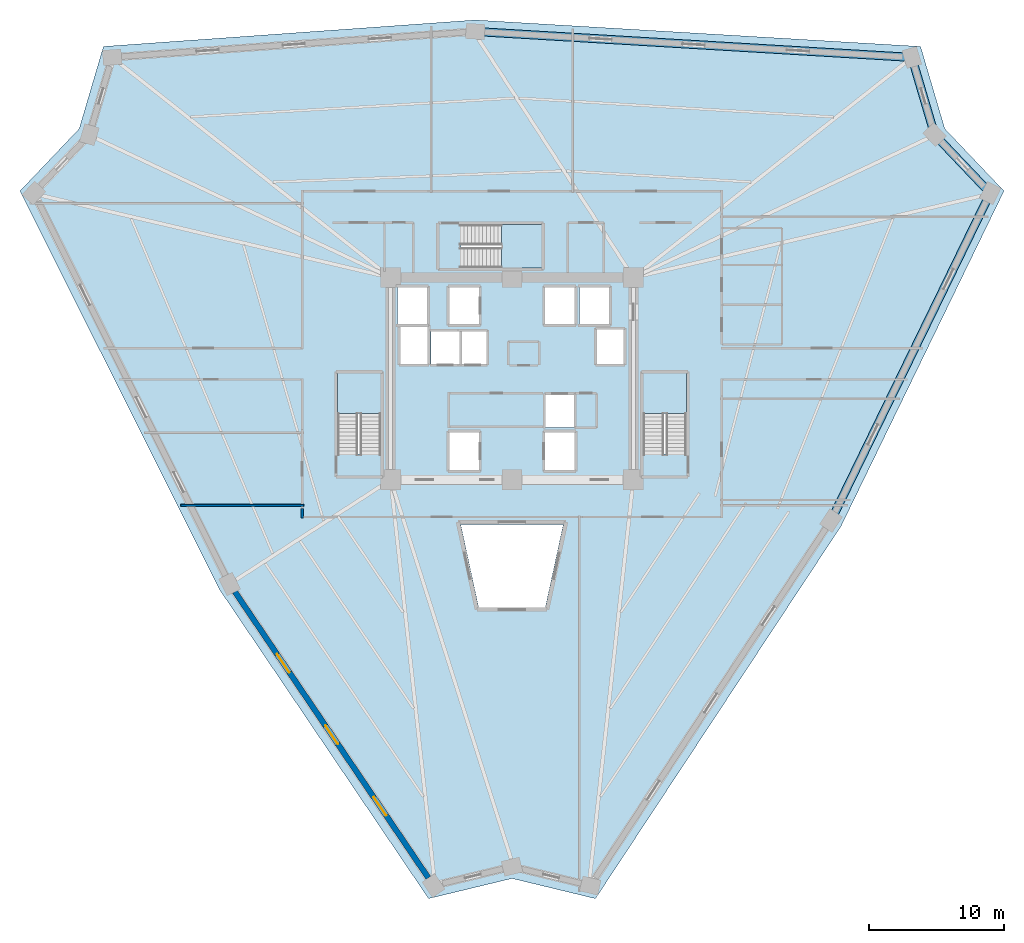
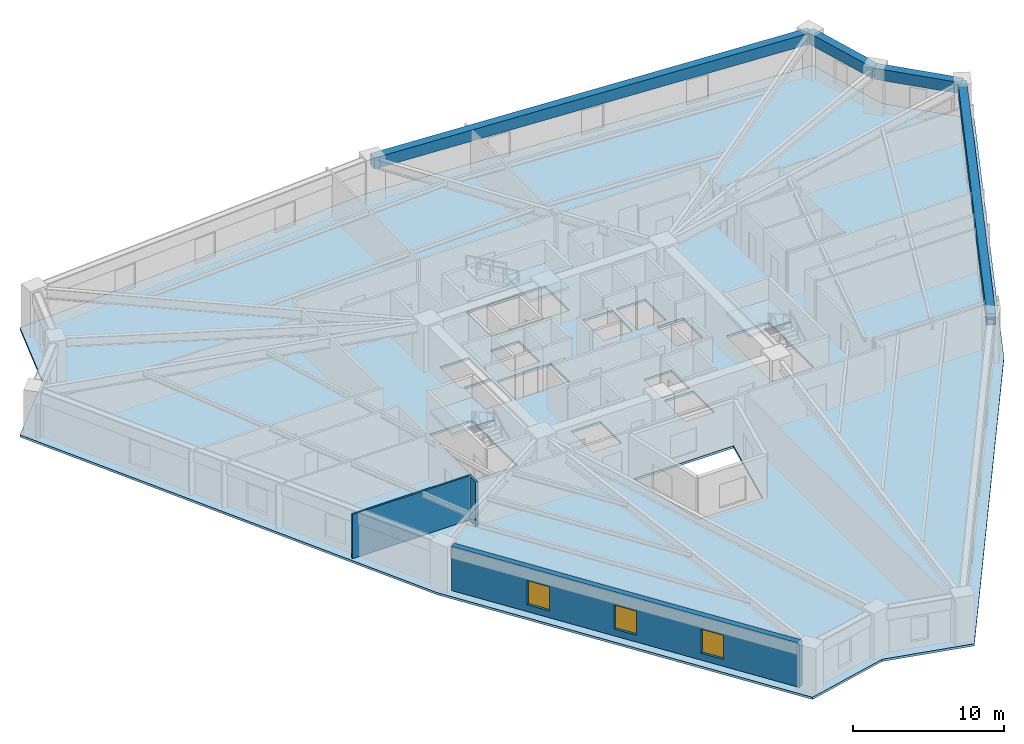
# One storey, part 2 of 8: 4 beams, 4 slabs, 3 walls, 3 windows, 3 openings, 3 elements without a shape of their own.
"""IFC4 building model written with IfcOpenShell, lengths in metres."""

from ifc_helpers import new_model, si_unit, direction, frame, frame_2d, origin, origin_2d, place, context, subcontext, project, spatial, polyline, rectangle, outline, extrude, source, transform, mapped, material, layer, layer_set, material_profile, profile_set, type_object, element, fill, aggregate, save


model = new_model("IFC4")

# Units and contexts
model_context = context("Model", 3, precision=1e-05, world=origin(), true_north=direction((0.0, 1.0)))
body_context = subcontext(model_context, "Body", "Model", "MODEL_VIEW")
ifc_project = project(units=[si_unit("LENGTHUNIT", "METRE"), si_unit("AREAUNIT", "SQUARE_METRE"), si_unit("VOLUMEUNIT", "CUBIC_METRE"), si_unit("PLANEANGLEUNIT", "RADIAN"), si_unit("MASSUNIT", "GRAM", prefix="KILO")], contexts=[model_context])

# Site, building, storey
site_placement = place(None, origin())
site = spatial("IfcSite", under=ifc_project, at=site_placement, CompositionType="ELEMENT")
building_placement = place(site_placement, origin())
building = spatial("IfcBuilding", under=site, at=building_placement, Name="Liaohun Quay Tower", CompositionType="ELEMENT")
storey_placement = place(building_placement, frame((0.0, 0.0, 151.5)))
storey = spatial("IfcBuildingStorey", under=building, at=storey_placement, Name="L39", CompositionType="ELEMENT", Elevation=151.5)

# Beams
ifc_material_1 = material(Name="Precast concrete C55", Category="concrete")
ifc_material_profile = material_profile(ifc_material_1, rectangle(XDim=0.60009765625, YDim=0.89990234375, at=origin_2d()), Name="RC600x900")
ifc_profile_set = profile_set([ifc_material_profile], Name="Precast concrete C55")
beam_type = type_object("IfcBeamType", Name="BM-SPD-Z2", PredefinedType="SPANDREL", material=ifc_profile_set)
shared_shape_1 = source(origin(), body_context, "Body", "SweptSolid", [
    extrude(rectangle(XDim=0.60009765625, YDim=0.89990234375, at=origin_2d()), origin(), (0.0, 0.0, 1.0), 32.43701171875),
])
beam_1_placement = place(storey_placement, frame((57.278076171875, 79.75390625, 3.1201171875), z_axis=(0.998239629669, -0.059309710482, 0.0), x_axis=(0.059309710482, 0.998239629669, 0.0)))
element("IfcBeam", 1, at=beam_1_placement, inside=storey, type_object=beam_type, Name="L39 Precast Spandrel Beam PC06-PC07", PredefinedType="SPANDREL", context=body_context, shape_type="MappedRepresentation", body=[
    mapped(shared_shape_1, transform((0.0, 0.0, 0.0), x_axis=(1.0, 0.0, 0.0), y_axis=(0.0, 1.0, 0.0), z_axis=(0.0, 0.0, 1.0), scale=1.0)),
])
shared_shape_2 = source(origin(), body_context, "Body", "SweptSolid", [
    extrude(rectangle(XDim=0.60009765625, YDim=0.89990234375, at=origin_2d()), origin(), (0.0, 0.0, 1.0), 5.974853515625),
])
beam_2_placement = place(storey_placement, frame((89.657958984375, 77.830078125, 3.1201171875), z_axis=(0.28283876691, -0.959167468137, 0.0), x_axis=(0.959167468137, 0.28283876691, 0.0)))
element("IfcBeam", 2, at=beam_2_placement, inside=storey, type_object=beam_type, Name="L39 Precast Spandrel Beam PC07-PC08", PredefinedType="SPANDREL", context=body_context, shape_type="MappedRepresentation", body=[
    mapped(shared_shape_2, transform((0.0, 0.0, 0.0), x_axis=(1.0, 0.0, 0.0), y_axis=(0.0, 1.0, 0.0), z_axis=(0.0, 0.0, 1.0), scale=1.0)),
])
shared_shape_3 = source(origin(), body_context, "Body", "SweptSolid", [
    extrude(rectangle(XDim=0.60009765625, YDim=0.89990234375, at=origin_2d()), origin(), (0.0, 0.0, 1.0), 5.9833984375),
])
beam_3_placement = place(storey_placement, frame((91.347900390625, 72.09912109375, 3.1201171875), z_axis=(0.689239366018, -0.724533709589, 0.0), x_axis=(0.724533709589, 0.689239366018, 0.0)))
element("IfcBeam", 3, at=beam_3_placement, inside=storey, type_object=beam_type, Name="L39 Precast Spandrel Beam PC08-PC09", PredefinedType="SPANDREL", context=body_context, shape_type="MappedRepresentation", body=[
    mapped(shared_shape_3, transform((0.0, 0.0, 0.0), x_axis=(1.0, 0.0, 0.0), y_axis=(0.0, 1.0, 0.0), z_axis=(0.0, 0.0, 1.0), scale=1.0)),
])
shared_shape_4 = source(origin(), body_context, "Body", "SweptSolid", [
    extrude(rectangle(XDim=0.60009765625, YDim=0.89990234375, at=origin_2d()), origin(), (0.0, 0.0, 1.0), 27.000732421875),
])
beam_4_placement = place(storey_placement, frame((95.471923828125, 67.763916015625, 3.1201171875), z_axis=(-0.437243394356, -0.899343212624, 0.0), x_axis=(0.899343212624, -0.437243394356, 0.0)))
element("IfcBeam", 4, at=beam_4_placement, inside=storey, type_object=beam_type, Name="L39 Precast Spandrel Beam PC09-PC10", PredefinedType="SPANDREL", context=body_context, shape_type="MappedRepresentation", body=[
    mapped(shared_shape_4, transform((0.0, 0.0, 0.0), x_axis=(1.0, 0.0, 0.0), y_axis=(0.0, 1.0, 0.0), z_axis=(0.0, 0.0, 1.0), scale=1.0)),
])

# Stair, slab
ifc_material_2 = material(Name="Concrete C45", Category="concrete")
stair_type = type_object("IfcStairType", Name="STR-CORE-OFF", PredefinedType="HALF_TURN_STAIR", material=ifc_material_2)
stair_1_placement = place(storey_placement, origin())
stair_1 = element("IfcStair", 5, at=stair_1_placement, inside=storey, type_object=stair_type, Name="L39 Smokeproof Core Exit Stair ST-1", PredefinedType="HALF_TURN_STAIR")
ifc_layer_1 = layer(ifc_material_2, 0.199951171875, Name="Concrete C45", Category="concrete")
ifc_layer_set_1 = layer_set([ifc_layer_1], Name="Concrete C45")
slab_type_1 = type_object("IfcSlabType", Name="SLB-LND-200", PredefinedType="LANDING", material=ifc_layer_set_1)
slab_1_placement = place(storey_placement, frame((0.0, 0.0, 1.675048828125)))
slab_1 = element("IfcSlab", 6, at=slab_1_placement, type_object=slab_type_1, Name="ST-1 landing 1", PredefinedType="LANDING", context=body_context, shape_type="SweptSolid", body=[
    extrude(outline(polyline([(50.280029296875, 51.429931640625), (50.280029296875, 54.419921875), (47.0400390625, 54.419921875), (47.0400390625, 51.429931640625), (50.280029296875, 51.429931640625)])), origin(), (0.0, 0.0, 1.0), 0.199951171875),
])
aggregate(stair_1, [slab_1])

stair_2_placement = place(storey_placement, origin())
stair_2 = element("IfcStair", 7, at=stair_2_placement, inside=storey, type_object=stair_type, Name="L39 Smokeproof Core Exit Stair ST-2", PredefinedType="HALF_TURN_STAIR")
slab_2_placement = place(storey_placement, frame((0.0, 0.0, 1.675048828125)))
slab_2 = element("IfcSlab", 8, at=slab_2_placement, type_object=slab_type_1, Name="ST-2 landing 1", PredefinedType="LANDING", context=body_context, shape_type="SweptSolid", body=[
    extrude(outline(polyline([(72.9599609375, 51.429931640625), (72.9599609375, 54.419921875), (69.719970703125, 54.419921875), (69.719970703125, 51.429931640625), (72.9599609375, 51.429931640625)])), origin(), (0.0, 0.0, 1.0), 0.199951171875),
])
aggregate(stair_2, [slab_2])

stair_3_placement = place(storey_placement, origin())
stair_3 = element("IfcStair", 9, at=stair_3_placement, inside=storey, type_object=stair_type, Name="L39 Smokeproof Core Exit Stair ST-3", PredefinedType="HALF_TURN_STAIR")
slab_3_placement = place(storey_placement, frame((0.0, 0.0, 1.675048828125)))
slab_3 = element("IfcSlab", 10, at=slab_3_placement, type_object=slab_type_1, Name="ST-3 landing 1", PredefinedType="LANDING", context=body_context, shape_type="SweptSolid", body=[
    extrude(outline(polyline([(59.22998046875, 62.199951171875), (62.219970703125, 62.199951171875), (62.219970703125, 65.43994140625), (59.22998046875, 65.43994140625), (59.22998046875, 62.199951171875)])), origin(), (0.0, 0.0, 1.0), 0.199951171875),
])
aggregate(stair_3, [slab_3])

# Slab
ifc_layer_2 = layer(ifc_material_2, 0.179931640625, Name="Concrete C45", Category="concrete")
ifc_layer_set_2 = layer_set([ifc_layer_2], Name="Concrete C45")
slab_type_2 = type_object("IfcSlabType", Name="SLB-OFF-180", PredefinedType="FLOOR", material=ifc_layer_set_2)
slab_4_placement = place(storey_placement, frame((0.0, 0.0, -0.179931640625)))
element("IfcSlab", 11, at=slab_4_placement, inside=storey, type_object=slab_type_2, Name="L39 Structural Floor Slab", PredefinedType="FLOOR", context=body_context, shape_type="SweptSolid", body=[
    extrude(outline(polyline([(53.81103515625, 15.43310546875), (60.0, 16.927978515625), (66.18896484375, 15.43310546875), (84.406005859375, 43.05908203125), (96.493896484375, 67.923095703125), (92.10498046875, 72.535888671875), (90.304931640625, 78.64306640625), (57.27294921875, 80.60595703125), (29.695068359375, 78.64306640625), (27.89501953125, 72.535888671875), (23.506103515625, 67.923095703125), (38.322021484375, 38.3349609375), (53.81103515625, 15.43310546875)]), holes=[polyline([(57.56005859375, 50.030029296875), (55.340087890625, 50.030029296875), (55.340087890625, 47.2099609375), (57.56005859375, 47.2099609375), (57.56005859375, 50.030029296875)]), polyline([(50.280029296875, 54.419921875), (47.0400390625, 54.419921875), (47.0400390625, 48.409912109375), (50.280029296875, 48.409912109375), (50.280029296875, 54.419921875)]), polyline([(53.989990234375, 55.090087890625), (58.110107421875, 55.090087890625), (58.110107421875, 57.510009765625), (53.989990234375, 57.510009765625), (53.989990234375, 55.090087890625)]), polyline([(53.760009765625, 55.090087890625), (53.760009765625, 57.909912109375), (51.7099609375, 57.909912109375), (51.7099609375, 55.090087890625), (53.760009765625, 55.090087890625)]), polyline([(53.7099609375, 58.0400390625), (53.7099609375, 60.7900390625), (51.489990234375, 60.7900390625), (51.489990234375, 58.0400390625), (53.7099609375, 58.0400390625)]), polyline([(57.56005859375, 58.0400390625), (57.56005859375, 60.7900390625), (55.340087890625, 60.7900390625), (55.340087890625, 58.0400390625), (57.56005859375, 58.0400390625)]), polyline([(62.219970703125, 62.199951171875), (62.219970703125, 65.43994140625), (56.2099609375, 65.43994140625), (56.2099609375, 62.199951171875), (62.219970703125, 62.199951171875)]), polyline([(62.472900390625, 37.0390625), (63.804931640625, 43.199951171875), (56.195068359375, 43.199951171875), (57.527099609375, 37.0390625), (62.472900390625, 37.0390625)]), polyline([(64.659912109375, 47.2099609375), (64.659912109375, 50.030029296875), (62.43994140625, 50.030029296875), (62.43994140625, 47.2099609375), (64.659912109375, 47.2099609375)]), polyline([(72.9599609375, 54.419921875), (69.719970703125, 54.419921875), (69.719970703125, 48.409912109375), (72.9599609375, 48.409912109375), (72.9599609375, 54.419921875)]), polyline([(64.610107421875, 50.389892578125), (64.610107421875, 52.81005859375), (62.489990234375, 52.81005859375), (62.489990234375, 50.389892578125), (64.610107421875, 50.389892578125)]), polyline([(68.2900390625, 55.090087890625), (68.2900390625, 57.659912109375), (66.2900390625, 57.659912109375), (66.2900390625, 55.090087890625), (68.2900390625, 55.090087890625)]), polyline([(64.659912109375, 58.0400390625), (64.659912109375, 60.7900390625), (62.43994140625, 60.7900390625), (62.43994140625, 58.0400390625), (64.659912109375, 58.0400390625)]), polyline([(67.2099609375, 58.0400390625), (67.2099609375, 60.7900390625), (64.989990234375, 60.7900390625), (64.989990234375, 58.0400390625), (67.2099609375, 58.0400390625)])]), origin(), (0.0, 0.0, 1.0), 0.179931640625),
])

# Wall, openings, windows
ifc_material_3 = material(Name="Precast concrete C50 insulated sandwich", Category="concrete")
ifc_layer_3 = layer(ifc_material_3, 0.419921875, Name="Precast concrete C50 insulated sandwich", Category="concrete")
ifc_layer_set_3 = layer_set([ifc_layer_3], Name="Precast concrete C50 insulated sandwich")
wall_type_1 = type_object("IfcWallType", Name="WAL-EXT-Z12", PredefinedType="SOLIDWALL", material=ifc_layer_set_3)
wall_1_placement = place(storey_placement, frame((39.444091796875, 38.193115234375, 0.0), z_axis=(0.0, 0.0, 1.0), x_axis=(0.560233610346, -0.828334655703, 0.0)))
wall_1 = element("IfcWall", 12, at=wall_1_placement, inside=storey, type_object=wall_type_1, Name="L39 Brutalist Precast Pier Wall 11", PredefinedType="SOLIDWALL", context=body_context, shape_type="SweptSolid", body=[
    extrude(rectangle(XDim=25.62158203125, YDim=0.419921875, at=frame_2d((12.810791015625, 0.0))), origin(), (0.0, 0.0, 1.0), 3.570068359375),
])
shared_shape_5 = source(origin(), body_context, "Body", "SweptSolid", [
    extrude(rectangle(XDim=1.64990234375, YDim=1.949951171875, at=frame_2d((0.824951171875, 0.97509765625))), frame((0.0, 0.219970703125, 0.0), z_axis=(0.0, -1.0, 0.0), x_axis=(1.0, 0.0, 0.0)), (0.0, 0.0, 1.0), 0.43994140625),
])
opening_1_placement = place(wall_1_placement, frame((5.580078125, 0.0, 0.550048828125)))
opening_1 = element("IfcOpeningElement", 13, at=opening_1_placement, cuts=wall_1, Name="Opening W02", PredefinedType="OPENING", context=body_context, shape_type="MappedRepresentation", body=[
    mapped(shared_shape_5, transform((0.0, 0.0, 0.0), x_axis=(1.0, 0.0, 0.0), y_axis=(0.0, 1.0, 0.0), z_axis=(0.0, 0.0, 1.0), scale=1.0)),
])
opening_2_placement = place(wall_1_placement, frame((11.986083984375, 0.0, 0.550048828125)))
opening_2 = element("IfcOpeningElement", 14, at=opening_2_placement, cuts=wall_1, Name="Opening W02", PredefinedType="OPENING", context=body_context, shape_type="MappedRepresentation", body=[
    mapped(shared_shape_5, transform((0.0, 0.0, 0.0), x_axis=(1.0, 0.0, 0.0), y_axis=(0.0, 1.0, 0.0), z_axis=(0.0, 0.0, 1.0), scale=1.0)),
])
opening_3_placement = place(wall_1_placement, frame((18.39111328125, 0.0, 0.550048828125)))
opening_3 = element("IfcOpeningElement", 15, at=opening_3_placement, cuts=wall_1, Name="Opening W02", PredefinedType="OPENING", context=body_context, shape_type="MappedRepresentation", body=[
    mapped(shared_shape_5, transform((0.0, 0.0, 0.0), x_axis=(1.0, 0.0, 0.0), y_axis=(0.0, 1.0, 0.0), z_axis=(0.0, 0.0, 1.0), scale=1.0)),
])
ifc_material_4 = material(Name="Triple Low-E argon glazing in thermally broken aluminium", Category="aluminium")
window_type = type_object("IfcWindowType", Name="WIN-PUN-Z2", PartitioningType="DOUBLE_PANEL_VERTICAL", PredefinedType="WINDOW", material=ifc_material_4)
shared_shape_6 = source(origin(), body_context, "Body", "SweptSolid", [
    extrude(rectangle(XDim=1.64990234375, YDim=1.949951171875, at=frame_2d((0.824951171875, 0.97509765625))), frame((0.0, 0.030029296875, 0.0), z_axis=(0.0, -1.0, 0.0), x_axis=(1.0, 0.0, 0.0)), (0.0, 0.0, 1.0), 0.06005859375),
])
window_1_placement = place(opening_1_placement, origin())
window_1 = element("IfcWindow", 16, at=window_1_placement, inside=storey, type_object=window_type, Name="L39 Recessed Cold-Climate Punched Window 11-1", OverallHeight=1.949951171875, OverallWidth=1.64990234375, PartitioningType="DOUBLE_PANEL_VERTICAL", PredefinedType="WINDOW", context=body_context, shape_type="MappedRepresentation", body=[
    mapped(shared_shape_6, transform((0.0, 0.0, 0.0), x_axis=(1.0, 0.0, 0.0), y_axis=(0.0, 1.0, 0.0), z_axis=(0.0, 0.0, 1.0), scale=1.0)),
])
fill(opening_1, window_1)
window_2_placement = place(opening_2_placement, origin())
window_2 = element("IfcWindow", 17, at=window_2_placement, inside=storey, type_object=window_type, Name="L39 Recessed Cold-Climate Punched Window 11-2", OverallHeight=1.949951171875, OverallWidth=1.64990234375, PartitioningType="DOUBLE_PANEL_VERTICAL", PredefinedType="WINDOW", context=body_context, shape_type="MappedRepresentation", body=[
    mapped(shared_shape_6, transform((0.0, 0.0, 0.0), x_axis=(1.0, 0.0, 0.0), y_axis=(0.0, 1.0, 0.0), z_axis=(0.0, 0.0, 1.0), scale=1.0)),
])
fill(opening_2, window_2)
window_3_placement = place(opening_3_placement, origin())
window_3 = element("IfcWindow", 18, at=window_3_placement, inside=storey, type_object=window_type, Name="L39 Recessed Cold-Climate Punched Window 11-3", OverallHeight=1.949951171875, OverallWidth=1.64990234375, PartitioningType="DOUBLE_PANEL_VERTICAL", PredefinedType="WINDOW", context=body_context, shape_type="MappedRepresentation", body=[
    mapped(shared_shape_6, transform((0.0, 0.0, 0.0), x_axis=(1.0, 0.0, 0.0), y_axis=(0.0, 1.0, 0.0), z_axis=(0.0, 0.0, 1.0), scale=1.0)),
])
fill(opening_3, window_3)

# Walls
ifc_material_5 = material(Name="Autoclaved aerated concrete blockwork", Category="masonry")
ifc_layer_4 = layer(ifc_material_5, 0.179931640625, Name="Autoclaved aerated concrete blockwork", Category="masonry")
ifc_layer_set_4 = layer_set([ifc_layer_4], Name="Autoclaved aerated concrete blockwork")
wall_type_2 = type_object("IfcWallType", Name="WAL-PRT-COR", PredefinedType="PARTITIONING", material=ifc_layer_set_4)
wall_2_placement = place(storey_placement, frame((44.43994140625, 43.669921875, 0.0), z_axis=(0.0, 0.0, 1.0), x_axis=(0.0, 1.0, 0.0)))
element("IfcWall", 19, at=wall_2_placement, inside=storey, type_object=wall_type_2, Name="L39 Interior Partition Wall 041", PredefinedType="PARTITIONING", context=body_context, shape_type="SweptSolid", body=[
    extrude(rectangle(XDim=0.715087890625, YDim=0.179931640625, at=frame_2d((0.357421875, 0.0))), origin(), (0.0, 0.0, 1.0), 3.570068359375),
])
ifc_material_6 = material(Name="Gypsum board on twin steel studs", Category="steel")
ifc_layer_5 = layer(ifc_material_6, 0.139892578125, Name="Gypsum board on twin steel studs", Category="steel")
ifc_layer_set_5 = layer_set([ifc_layer_5], Name="Gypsum board on twin steel studs")
wall_type_3 = type_object("IfcWallType", Name="WAL-PRT-OFF", PredefinedType="PARTITIONING", material=ifc_layer_set_5)
wall_3_placement = place(storey_placement, frame((44.5400390625, 44.60009765625, 0.0), z_axis=(0.0, 0.0, 1.0), x_axis=(-1.0, 0.0, 0.0)))
element("IfcWall", 20, at=wall_3_placement, inside=storey, type_object=wall_type_3, Name="L39 Interior Partition Wall 044", PredefinedType="PARTITIONING", context=body_context, shape_type="SweptSolid", body=[
    extrude(rectangle(XDim=9.109130859375, YDim=0.139892578125, at=frame_2d((4.5546875, 0.0))), origin(), (0.0, 0.0, 1.0), 3.570068359375),
])

save(model, "model.ifc")
